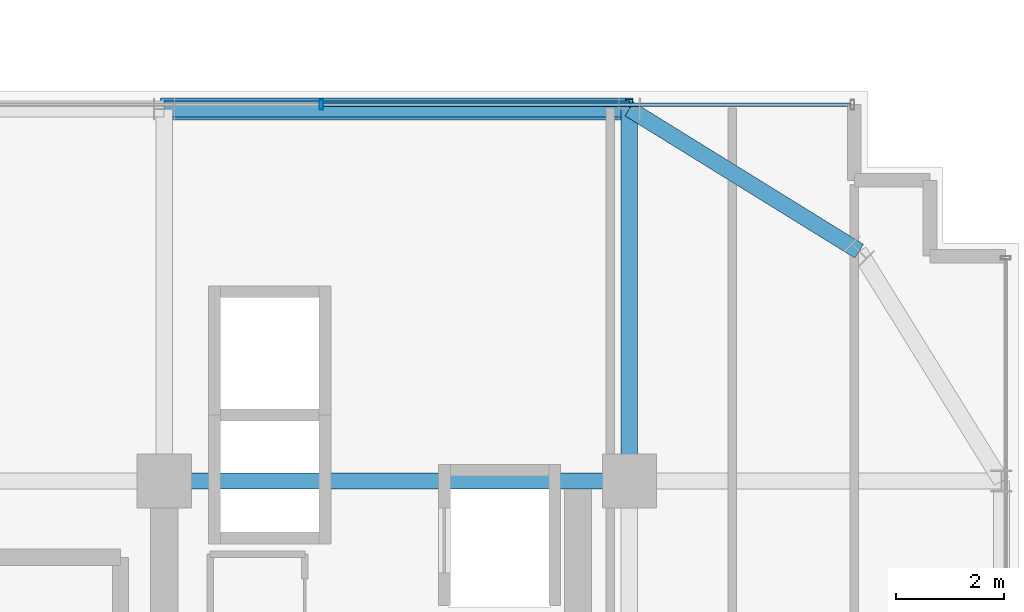
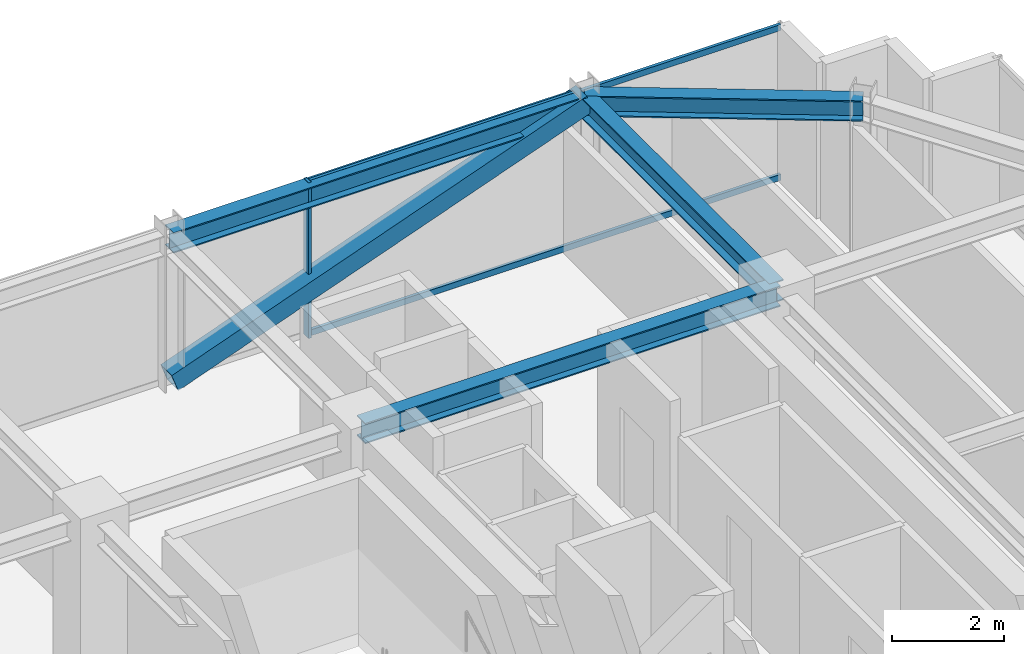
# One storey, part 25 of 36: 4 beams, 4 members, 1 element without a shape of its own.
"""IFC4 building model written with IfcOpenShell, lengths in metres."""

import ifcopenshell
import ifcopenshell.guid

model = None  # the IFC model being written
_history = None  # IfcOwnerHistory: only IFC2X3 demands one
_inside = {}  # id of a spatial element -> (the spatial element, [elements in it])
_under = {}  # id of a project, library or spatial element -> (it, [spatial elements below it])
_declared = {}  # id of a project -> (the project, [libraries it declares])
_typed = {}  # id of a type object -> (the type object, [elements of that type])
_made_of = {}  # id of a material, layer set ... -> (it, [elements and type objects made of it])


def new_model(schema):
    """Start an empty IFC model of exactly this schema.

    Asked for "IFC4X3", IfcOpenShell would pick the latest addendum, in which some entities
    have other attributes; the version numbers below select the first issue.
    IFC2X3 requires an IfcOwnerHistory on every rooted entity: one is made here for all.
    """
    global model, _history
    if schema == "IFC4X3":
        model = ifcopenshell.file(schema_version=(4, 3, 0, 0))
    else:
        model = ifcopenshell.file(schema=schema)
    _inside.clear()
    _under.clear()
    _declared.clear()
    _typed.clear()
    _made_of.clear()
    _history = None
    if model.schema == "IFC2X3":
        org = make("IfcOrganization", Name="unknown")
        user = make(
            "IfcPersonAndOrganization",
            ThePerson=make("IfcPerson", FamilyName="unknown"),
            TheOrganization=org,
        )
        app = make(
            "IfcApplication",
            ApplicationDeveloper=org,
            Version="unknown",
            ApplicationFullName="unknown",
            ApplicationIdentifier="unknown",
        )
        _history = make(
            "IfcOwnerHistory",
            OwningUser=user,
            OwningApplication=app,
            ChangeAction="ADDED",
            CreationDate=0,
        )
    return model


def make(cls, **values):
    """One entity of the class cls with the attributes given. An attribute that is None is left unset."""
    return model.create_entity(
        cls, **{name: value for name, value in values.items() if value is not None}
    )


def rooted(cls, **values):
    """An entity with a GlobalId (a new one), such as an element, a storey or a relation."""
    return make(cls, GlobalId=ifcopenshell.guid.new(), OwnerHistory=_history, **values)


def si_unit(unit_type, name, prefix=None):
    """IfcSIUnit, for example si_unit("LENGTHUNIT", "METRE", prefix="MILLI")."""
    return make("IfcSIUnit", UnitType=unit_type, Prefix=prefix, Name=name)


def assignment(units):
    """IfcUnitAssignment: the units of a project."""
    return None if units is None else make("IfcUnitAssignment", Units=units)


def point(xyz):
    """IfcCartesianPoint."""
    return None if xyz is None else make("IfcCartesianPoint", Coordinates=xyz)


def direction(xyz):
    """IfcDirection."""
    return None if xyz is None else make("IfcDirection", DirectionRatios=xyz)


def frame(location, z_axis=None, x_axis=None):
    """IfcAxis2Placement3D, a coordinate frame: its origin and axes. An axis left out is left unset."""
    return make(
        "IfcAxis2Placement3D",
        Location=point(location),
        Axis=direction(z_axis),
        RefDirection=direction(x_axis),
    )


def frame_2d(location, x_axis=None):
    """IfcAxis2Placement2D, a coordinate frame in the plane: its origin and x axis."""
    return make(
        "IfcAxis2Placement2D", Location=point(location), RefDirection=direction(x_axis)
    )


def origin():
    """The frame at (0, 0, 0) with its axes left unset."""
    return frame((0.0, 0.0, 0.0))


def origin_2d():
    """The frame at (0, 0) in the plane with its x axis left unset."""
    return frame_2d((0.0, 0.0))


def place(relative_to, where):
    """IfcLocalPlacement: puts the frame where relative to a parent placement (None: the world)."""
    return make(
        "IfcLocalPlacement", PlacementRelTo=relative_to, RelativePlacement=where
    )


def context(
    kind, dimensions, precision=None, world=None, true_north=None, identifier=None
):
    """IfcGeometricRepresentationContext, for example the 3D "Model" context."""
    return make(
        "IfcGeometricRepresentationContext",
        ContextIdentifier=identifier,
        ContextType=kind,
        CoordinateSpaceDimension=dimensions,
        Precision=precision,
        WorldCoordinateSystem=world,
        TrueNorth=true_north,
    )


def subcontext(parent, identifier, kind, view, scale=None):
    """IfcGeometricRepresentationSubContext, for example "Body" below "Model"."""
    return make(
        "IfcGeometricRepresentationSubContext",
        ContextIdentifier=identifier,
        ContextType=kind,
        ParentContext=parent,
        TargetScale=scale,
        TargetView=view,
    )


def project(units=None, contexts=None):
    """IfcProject with its units and contexts."""
    return rooted(
        "IfcProject",
        Name="project",
        RepresentationContexts=contexts,
        UnitsInContext=assignment(units),
    )


def spatial(cls, under=None, at=None, **own):
    """A site, building, storey or space (cls), placed at a placement, below another one or the project."""
    s = rooted(cls, ObjectPlacement=at, **own)
    if under is not None:
        _under.setdefault(under.id(), (under, []))[1].append(s)
    return s


def profile(cls, at=None, kind="AREA", **sizes):
    """A parametric profile (cls). Its sizes go by their IFC names, for example OverallWidth=200.0."""
    return make(cls, ProfileType=kind, Position=at, **sizes)


def hollow_rectangle(**sizes):
    """IfcRectangleHollowProfileDef."""
    return profile("IfcRectangleHollowProfileDef", **sizes)


def i_section(**sizes):
    """IfcIShapeProfileDef."""
    return profile("IfcIShapeProfileDef", **sizes)


def extrude(swept, where, along, depth):
    """IfcExtrudedAreaSolid: the profile swept, set in the frame where, extruded along a direction by depth."""
    return make(
        "IfcExtrudedAreaSolid",
        SweptArea=swept,
        Position=where,
        ExtrudedDirection=direction(along),
        Depth=depth,
    )


def shape(context_of_items, identifier, shape_type, items):
    """IfcShapeRepresentation: the items that make up one representation, for example the "Body"."""
    return make(
        "IfcShapeRepresentation",
        ContextOfItems=context_of_items,
        RepresentationIdentifier=identifier,
        RepresentationType=shape_type,
        Items=items,
    )


def source(mapping_origin, context_of_items, identifier, shape_type, items):
    """IfcRepresentationMap: a shape defined once, which mapped items show again and again."""
    return make(
        "IfcRepresentationMap",
        MappingOrigin=mapping_origin,
        MappedRepresentation=shape(context_of_items, identifier, shape_type, items),
    )


def transform(
    local_origin,
    x_axis=None,
    y_axis=None,
    z_axis=None,
    scale=None,
    scale2=None,
    scale3=None,
    uniform=True,
):
    """IfcCartesianTransformationOperator3D, or its non-uniform kind. x_axis, y_axis, z_axis: its Axis1, 2, 3."""
    if uniform:
        return make(
            "IfcCartesianTransformationOperator3D",
            Axis1=direction(x_axis),
            Axis2=direction(y_axis),
            LocalOrigin=point(local_origin),
            Scale=scale,
            Axis3=direction(z_axis),
        )
    return make(
        "IfcCartesianTransformationOperator3DnonUniform",
        Axis1=direction(x_axis),
        Axis2=direction(y_axis),
        LocalOrigin=point(local_origin),
        Scale=scale,
        Axis3=direction(z_axis),
        Scale2=scale2,
        Scale3=scale3,
    )


def mapped(mapping_source, mapping_target):
    """IfcMappedItem: shows the shape of a source again, moved by a transform."""
    return make(
        "IfcMappedItem", MappingSource=mapping_source, MappingTarget=mapping_target
    )


def material(Name=None, Category=None):
    """IfcMaterial."""
    return make("IfcMaterial", Name=Name, Category=Category)


def material_profile(
    of_material, cross_section, Name=None, Category=None, Priority=None
):
    """IfcMaterialProfile: a cross section and its material."""
    return make(
        "IfcMaterialProfile",
        Name=Name,
        Material=of_material,
        Profile=cross_section,
        Priority=Priority,
        Category=Category,
    )


def profile_set(profiles, Name=None, composite=None):
    """IfcMaterialProfileSet."""
    return make(
        "IfcMaterialProfileSet",
        Name=Name,
        MaterialProfiles=profiles,
        CompositeProfile=composite,
    )


def made_of(thing, what):
    """Note that an element or type object is made of a material, layer set ...; save() writes the relation."""
    if what is not None:
        _made_of.setdefault(what.id(), (what, []))[1].append(thing)
    return thing


def type_object(cls, material=None, **own):
    """A type object (cls), such as IfcWallType, which elements share."""
    return made_of(rooted(cls, **own), material)


def element(
    cls,
    number,
    at=None,
    inside=None,
    cuts=None,
    type_object=None,
    material=None,
    context=None,
    identifier="Body",
    shape_type=None,
    held_by="IfcProductDefinitionShape",
    body=None,
    shapes=None,
    **own,
):
    """One element of the class cls, such as IfcWall. Its Tag is "e" and its number.

    at: its placement. inside: the storey or other place that contains it. cuts: it is an
    opening in that element (IfcRelVoidsElement). A single representation is given by context,
    identifier, shape_type and body (its items); several are given by shapes. held_by: the class
    of the entity that holds the representations. save() writes the other relations.
    """
    e = rooted(cls, Tag="e%d" % number, ObjectPlacement=at, **own)
    if body is not None:
        shapes = [shape(context, identifier, shape_type, body)]
    if shapes is not None:
        e.Representation = make(held_by, Representations=shapes)
    if inside is not None:
        _inside.setdefault(inside.id(), (inside, []))[1].append(e)
    if cuts is not None:
        rooted(
            "IfcRelVoidsElement", RelatingBuildingElement=cuts, RelatedOpeningElement=e
        )
    if type_object is not None:
        _typed.setdefault(type_object.id(), (type_object, []))[1].append(e)
    return made_of(e, material)


def aggregate(whole, parts):
    """IfcRelAggregates: a whole, such as a stair, and the parts it consists of."""
    return rooted("IfcRelAggregates", RelatingObject=whole, RelatedObjects=parts)


def save(model, path):
    """Write the relations noted so far, then the file.

    IfcRelAggregates (storeys below a building ...), IfcRelContainedInSpatialStructure (elements
    in a storey), IfcRelDefinesByType, IfcRelAssociatesMaterial and IfcRelDeclares: one each for
    every whole, place, type object, material and project.
    """
    for whole, parts in _under.values():
        aggregate(whole, parts)
    for where, things in _inside.values():
        rooted(
            "IfcRelContainedInSpatialStructure",
            RelatedElements=things,
            RelatingStructure=where,
        )
    for kind, things in _typed.values():
        rooted("IfcRelDefinesByType", RelatedObjects=things, RelatingType=kind)
    for what, things in _made_of.values():
        rooted("IfcRelAssociatesMaterial", RelatedObjects=things, RelatingMaterial=what)
    for by, libraries in _declared.values():
        rooted("IfcRelDeclares", RelatingContext=by, RelatedDefinitions=libraries)
    model.write(path)


model = new_model("IFC4")

# Units and contexts
model_context = context("Model", 3, precision=1e-05, world=origin(), true_north=direction((0.0, 1.0)))
body_context = subcontext(model_context, "Body", "Model", "MODEL_VIEW")
ifc_project = project(units=[si_unit("LENGTHUNIT", "METRE"), si_unit("AREAUNIT", "SQUARE_METRE"), si_unit("VOLUMEUNIT", "CUBIC_METRE"), si_unit("PLANEANGLEUNIT", "RADIAN"), si_unit("MASSUNIT", "GRAM", prefix="KILO")], contexts=[model_context])

# Site, building, storey
site_placement = place(None, origin())
site = spatial("IfcSite", under=ifc_project, at=site_placement, CompositionType="ELEMENT")
building_placement = place(site_placement, origin())
building = spatial("IfcBuilding", under=site, at=building_placement, Name="Nahalor Promenade Grand Hotel", CompositionType="ELEMENT")
storey_placement = place(building_placement, frame((0.0, 0.0, 241.89990234375)))
storey = spatial("IfcBuildingStorey", under=building, at=storey_placement, Name="L62", CompositionType="ELEMENT", Elevation=241.89990234375)

# Beams
ifc_material_1 = material(Name="Steel S355JR", Category="steel")
ifc_material_profile_1 = material_profile(ifc_material_1, i_section(OverallWidth=0.3, OverallDepth=0.45, WebThickness=0.014, FlangeThickness=0.026, at=origin_2d()), Name="HEB 450")
ifc_profile_set_1 = profile_set([ifc_material_profile_1], Name="Steel S355JR")
beam_type_1 = type_object("IfcBeamType", Name="Beam-Spandrel-HEB450", PredefinedType="SPANDREL", material=ifc_profile_set_1)
shared_shape_1 = source(origin(), body_context, "Body", "SweptSolid", [
    extrude(i_section(OverallWidth=0.3, OverallDepth=0.45, WebThickness=0.014, FlangeThickness=0.026, at=origin_2d()), origin(), (0.0, 0.0, 1.0), 8.60009765625),
])
beam_1_placement = place(storey_placement, frame((8.39990234375, 23.8798828125, 3.18505859375), z_axis=(1.0, 0.0, 0.0), x_axis=(0.0, 1.0, 0.0)))
element("IfcBeam", 1, at=beam_1_placement, inside=storey, type_object=beam_type_1, Name="BM-L62-SP-N-4", PredefinedType="SPANDREL", context=body_context, shape_type="MappedRepresentation", body=[
    mapped(shared_shape_1, transform((0.0, 0.0, 0.0), scale=1.0)),
])
shared_shape_2 = source(origin(), body_context, "Body", "SweptSolid", [
    extrude(i_section(OverallWidth=0.3, OverallDepth=0.45, WebThickness=0.014, FlangeThickness=0.026, at=origin_2d()), origin(), (0.0, 0.0, 1.0), 4.997802734375),
])
beam_2_placement = place(storey_placement, frame((17.0, 23.8798828125, 3.18505859375), z_axis=(0.850360908404, -0.526199891161, 0.0), x_axis=(0.526199891161, 0.850360908404, 0.0)))
element("IfcBeam", 2, at=beam_2_placement, inside=storey, type_object=beam_type_1, Name="BM-L62-SPC-NE-1", PredefinedType="SPANDREL", context=body_context, shape_type="MappedRepresentation", body=[
    mapped(shared_shape_2, transform((0.0, 0.0, 0.0), scale=1.0)),
])
ifc_material_profile_2 = material_profile(ifc_material_1, i_section(OverallWidth=0.3, OverallDepth=0.45, WebThickness=0.014, FlangeThickness=0.026, at=origin_2d()), Name="HEB 450")
ifc_profile_set_2 = profile_set([ifc_material_profile_2], Name="Steel S355JR")
beam_type_2 = type_object("IfcBeamType", Name="Beam-Girder-HEB450", PredefinedType="BEAM", material=ifc_profile_set_2)
shared_shape_3 = source(origin(), body_context, "Body", "SweptSolid", [
    extrude(i_section(OverallWidth=0.3, OverallDepth=0.45, WebThickness=0.014, FlangeThickness=0.026, at=origin_2d()), origin(), (0.0, 0.0, 1.0), 6.8798828125),
])
beam_3_placement = place(storey_placement, frame((17.0, 17.0, 3.18505859375), z_axis=(0.0, 1.0, 0.0), x_axis=(-1.0, 0.0, 0.0)))
element("IfcBeam", 3, at=beam_3_placement, inside=storey, type_object=beam_type_2, Name="BM-L62-GY-5-4", PredefinedType="BEAM", context=body_context, shape_type="MappedRepresentation", body=[
    mapped(shared_shape_3, transform((0.0, 0.0, 0.0), scale=1.0)),
])
shared_shape_4 = source(origin(), body_context, "Body", "SweptSolid", [
    extrude(i_section(OverallWidth=0.3, OverallDepth=0.45, WebThickness=0.014, FlangeThickness=0.026, at=origin_2d()), origin(), (0.0, 0.0, 1.0), 8.60009765625),
])
beam_4_placement = place(storey_placement, frame((8.39990234375, 17.0, 3.18505859375), z_axis=(1.0, 0.0, 0.0), x_axis=(0.0, 1.0, 0.0)))
element("IfcBeam", 4, at=beam_4_placement, inside=storey, type_object=beam_type_2, Name="BM-L62-GX-3-5", PredefinedType="BEAM", context=body_context, shape_type="MappedRepresentation", body=[
    mapped(shared_shape_4, transform((0.0, 0.0, 0.0), scale=1.0)),
])

# Member
ifc_material_profile_3 = material_profile(ifc_material_1, hollow_rectangle(XDim=0.4, YDim=0.4, WallThickness=0.022, at=origin_2d()), Name="SHS 400x400x22")
ifc_profile_set_3 = profile_set([ifc_material_profile_3], Name="Steel S355JR")
member_type_1 = type_object("IfcMemberType", Name="Mem-ExoBrace-SHS400", PredefinedType="BRACE", material=ifc_profile_set_3)
shared_shape_5 = source(origin(), body_context, "Body", "SweptSolid", [
    extrude(hollow_rectangle(XDim=0.4, YDim=0.4, WallThickness=0.022, at=origin_2d()), origin(), (0.0, 0.0, 1.0), 9.14501953125),
])
member_1_placement = place(storey_placement, frame((8.39990234375, 23.8798828125, 0.150146484375), z_axis=(0.940404564616, 0.0, 0.340057722821), x_axis=(0.0, 1.0, 0.0)))
element("IfcMember", 5, at=member_1_placement, inside=storey, type_object=member_type_1, Name="EXO-L62-N-1", PredefinedType="BRACE", context=body_context, shape_type="MappedRepresentation", body=[
    mapped(shared_shape_5, transform((0.0, 0.0, 0.0), scale=1.0)),
])

# Curtain wall, members
ifc_material_2 = material(Name="Anodised Bronze Aluminium EN AW-6063 T6", Category="aluminium")
curtain_wall_type = type_object("IfcCurtainWallType", Name="CW2 Typical Hotel Flush Bronze Unitised Curtain Wall", PredefinedType="USERDEFINED", material=ifc_material_2)
curtain_wall_placement = place(storey_placement, origin())
curtain_wall = element("IfcCurtainWall", 6, at=curtain_wall_placement, inside=storey, type_object=curtain_wall_type, Name="L62 Curtain Wall CW-L62-N-3", ObjectType="UNITISED_CURTAIN_WALL", PredefinedType="USERDEFINED")
ifc_material_profile_4 = material_profile(ifc_material_2, hollow_rectangle(XDim=0.065, YDim=0.18, WallThickness=0.004, at=origin_2d()), Name="CWM 65x180x4")
ifc_profile_set_4 = profile_set([ifc_material_profile_4], Name="Anodised Bronze Aluminium EN AW-6063 T6")
member_type_2 = type_object("IfcMemberType", Name="CWM2 Typical Bronze Mullion 65x180", PredefinedType="MULLION", material=ifc_profile_set_4)
shared_shape_6 = source(origin(), body_context, "Body", "SweptSolid", [
    extrude(hollow_rectangle(XDim=0.065, YDim=0.18, WallThickness=0.004, at=origin_2d()), origin(), (0.0, 0.0, 1.0), 3.41015625),
])
member_2_placement = place(storey_placement, frame((11.306640625, 23.9599609375, 0.0), z_axis=(0.0, 0.0, 1.0), x_axis=(1.0, 0.0, 0.0)))
member_2 = element("IfcMember", 7, at=member_2_placement, type_object=member_type_2, Name="CW-L62-N-3 Mullion 2", PredefinedType="MULLION", context=body_context, shape_type="MappedRepresentation", body=[
    mapped(shared_shape_6, transform((0.0, 0.0, 0.0), scale=1.0)),
])
ifc_material_profile_5 = material_profile(ifc_material_2, hollow_rectangle(XDim=0.065, YDim=0.13, WallThickness=0.004, at=origin_2d()), Name="CWT 65x130x4")
ifc_profile_set_5 = profile_set([ifc_material_profile_5], Name="Anodised Bronze Aluminium EN AW-6063 T6")
member_type_3 = type_object("IfcMemberType", Name="CWT2 Typical Bronze Transom 65x130", PredefinedType="USERDEFINED", material=ifc_profile_set_5)
shared_shape_7 = source(origin(), body_context, "Body", "SweptSolid", [
    extrude(hollow_rectangle(XDim=0.065, YDim=0.13, WallThickness=0.004, at=origin_2d()), origin(), (0.0, 0.0, 1.0), 9.755859375),
])
member_3_placement = place(storey_placement, frame((11.339111328125, 23.9599609375, 0.065185546875), z_axis=(1.0, 0.0, 0.0), x_axis=(0.0, 1.0, 0.0)))
member_3 = element("IfcMember", 8, at=member_3_placement, type_object=member_type_3, Name="CW-L62-N-3 Transom 2-0", ObjectType="TRANSOM", PredefinedType="USERDEFINED", context=body_context, shape_type="MappedRepresentation", body=[
    mapped(shared_shape_7, transform((0.0, 0.0, 0.0), scale=1.0)),
])
member_4_placement = place(storey_placement, frame((11.339111328125, 23.9599609375, 3.34521484375), z_axis=(1.0, 0.0, 0.0), x_axis=(0.0, 1.0, 0.0)))
member_4 = element("IfcMember", 9, at=member_4_placement, type_object=member_type_3, Name="CW-L62-N-3 Transom 2-1", ObjectType="TRANSOM", PredefinedType="USERDEFINED", context=body_context, shape_type="MappedRepresentation", body=[
    mapped(shared_shape_7, transform((0.0, 0.0, 0.0), scale=1.0)),
])
aggregate(curtain_wall, [member_2, member_3, member_4])

save(model, "model.ifc")
